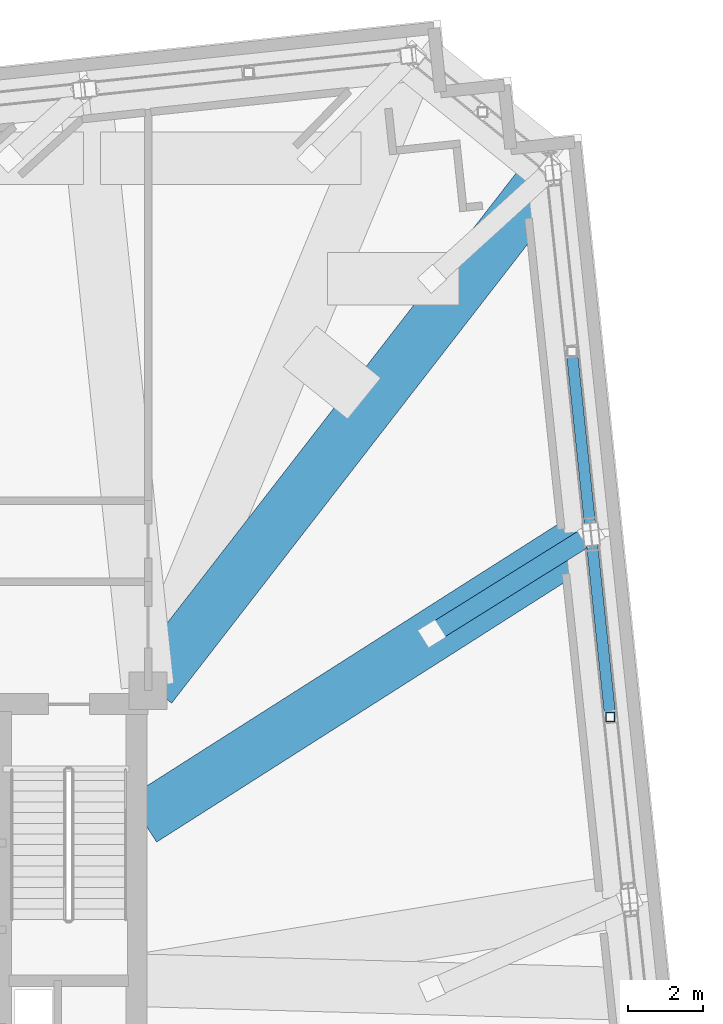
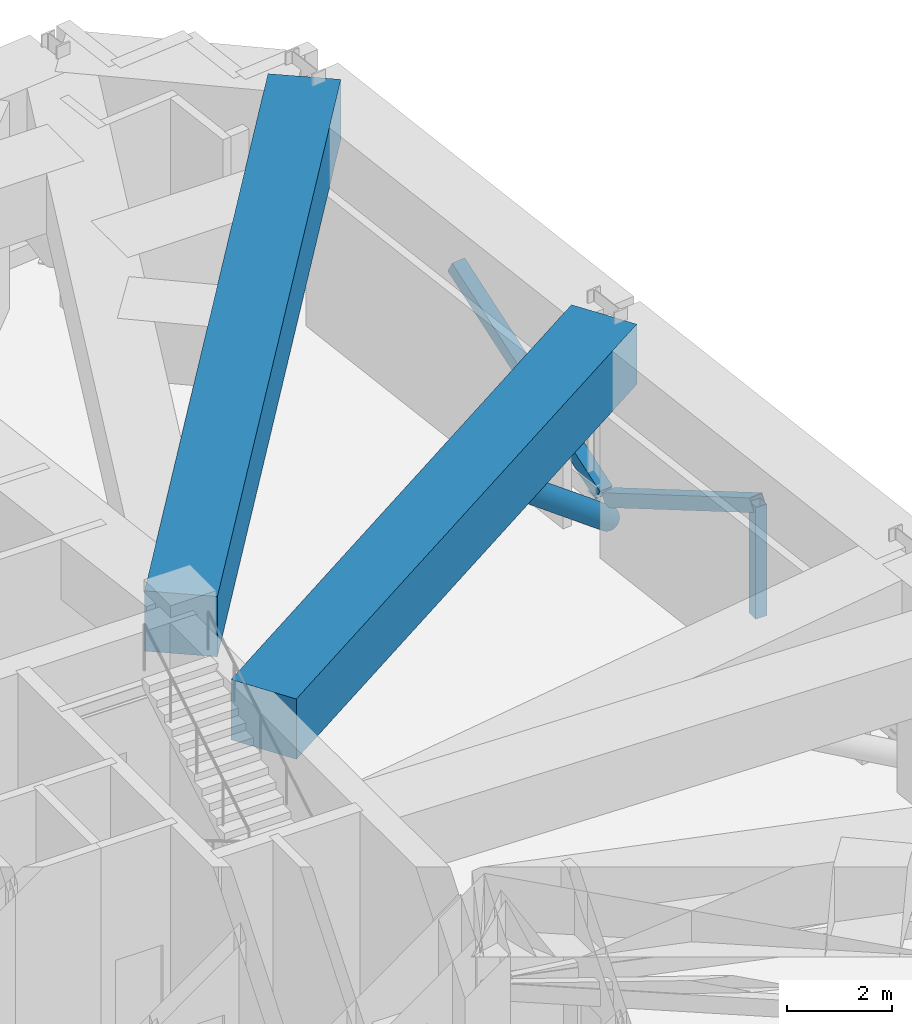
# One storey, part 12 of 23: 4 members, 2 beams.
"""IFC4 building model written with IfcOpenShell, lengths in metres."""

from ifc_helpers import new_model, si_unit, direction, frame, origin, origin_2d, place, context, subcontext, project, spatial, rectangle, hollow_rectangle, hollow_circle, extrude, material, material_profile, profile_set, type_object, element, save


model = new_model("IFC4")

# Units and contexts
model_context = context("Model", 3, precision=1e-05, world=origin(), true_north=direction((0.0, 1.0)))
body_context = subcontext(model_context, "Body", "Model", "MODEL_VIEW")
ifc_project = project(units=[si_unit("LENGTHUNIT", "METRE"), si_unit("AREAUNIT", "SQUARE_METRE"), si_unit("VOLUMEUNIT", "CUBIC_METRE"), si_unit("PLANEANGLEUNIT", "RADIAN"), si_unit("MASSUNIT", "GRAM", prefix="KILO")], contexts=[model_context])

# Site, building, storey
site_placement = place(None, origin())
site = spatial("IfcSite", under=ifc_project, at=site_placement, CompositionType="ELEMENT")
building_placement = place(site_placement, origin())
building = spatial("IfcBuilding", under=site, at=building_placement, Name="Qobustan Lattice House", CompositionType="ELEMENT")
storey_placement = place(building_placement, frame((0.0, 0.0, 125.89990234375)))
storey = spatial("IfcBuildingStorey", under=building, at=storey_placement, Name="L35", CompositionType="ELEMENT", Elevation=125.89990234375)

# Beams
ifc_material_1 = material(Name="Concrete C60/75", Category="concrete")
ifc_material_profile_1 = material_profile(ifc_material_1, rectangle(XDim=1.39990234375, YDim=1.39990234375, at=origin_2d()), Name="RC1400x1400")
ifc_profile_set_1 = profile_set([ifc_material_profile_1], Name="Concrete C60/75")
beam_type = type_object("IfcBeamType", Name="BM-TRG-RC1400", PredefinedType="USERDEFINED", material=ifc_profile_set_1)
beam_1_placement = place(storey_placement, frame((18.651123046875, 2.164306640625, 4.1201171875), z_axis=(0.843587610069, 0.536991568032, 0.0), x_axis=(-0.536991568032, 0.843587610069, 0.0)))
element("IfcBeam", 1, at=beam_1_placement, inside=storey, type_object=beam_type, Name="L35 TT2 radial transfer girder E3", ObjectType="GIRDER", PredefinedType="USERDEFINED", context=body_context, shape_type="SweptSolid", body=[
    extrude(rectangle(XDim=1.39990234375, YDim=1.39990234375, at=origin_2d()), origin(), (0.0, 0.0, 1.0), 14.01708984375),
])
beam_2_placement = place(storey_placement, frame((18.87353515625, 5.69482421875, 4.1201171875), z_axis=(0.61284454699, 0.790203493554, 0.0), x_axis=(-0.790203493554, 0.61284454699, 0.0)))
element("IfcBeam", 2, at=beam_2_placement, inside=storey, type_object=beam_type, Name="L35 TT2 radial transfer girder E4", ObjectType="GIRDER", PredefinedType="USERDEFINED", context=body_context, shape_type="SweptSolid", body=[
    extrude(rectangle(XDim=1.39990234375, YDim=1.39990234375, at=origin_2d()), origin(), (0.0, 0.0, 1.0), 17.311279296875),
])

# Members
ifc_material_2 = material(Name="Steel S355", Category="steel")
ifc_material_profile_2 = material_profile(ifc_material_2, hollow_rectangle(XDim=0.300048828125, YDim=0.300048828125, WallThickness=0.01611328125, at=origin_2d()), Name="SHS300x300x16")
ifc_profile_set_2 = profile_set([ifc_material_profile_2], Name="Steel S355")
member_type_1 = type_object("IfcMemberType", Name="MEM-BRC-SHS300", PredefinedType="BRACE", material=ifc_profile_set_2)
member_1_placement = place(storey_placement, frame((31.087646484375, 4.8994140625, 3.14013671875), z_axis=(-0.091919893425, 0.874540587592, -0.476161205736), x_axis=(-0.994521662032, -0.104530683287, 0.0)))
element("IfcMember", 3, at=member_1_placement, inside=storey, type_object=member_type_1, Name="L35 TT2 belt truss web diagonal E2-E3 B", PredefinedType="BRACE", context=body_context, shape_type="SweptSolid", body=[
    extrude(hollow_rectangle(XDim=0.300048828125, YDim=0.300048828125, WallThickness=0.01611328125, at=origin_2d()), origin(), (0.0, 0.0, 1.0), 5.439453125),
])
member_2_placement = place(storey_placement, frame((30.566650390625, 9.85546875, 0.550048828125), z_axis=(-0.091923501566, 0.874530031498, 0.476179896539), x_axis=(-0.994521104289, -0.104535989611, 0.0)))
element("IfcMember", 4, at=member_2_placement, inside=storey, type_object=member_type_1, Name="L35 TT2 belt truss web diagonal E3-E4 A", PredefinedType="BRACE", context=body_context, shape_type="SweptSolid", body=[
    extrude(hollow_rectangle(XDim=0.300048828125, YDim=0.300048828125, WallThickness=0.01611328125, at=origin_2d()), origin(), (0.0, 0.0, 1.0), 5.439208984375),
])
ifc_material_3 = material(Name="Steel S355", Category="steel")
ifc_material_profile_3 = material_profile(ifc_material_3, hollow_rectangle(XDim=0.25, YDim=0.25, WallThickness=0.012451171875, at=origin_2d()), Name="SHS250x250x12.5")
ifc_profile_set_3 = profile_set([ifc_material_profile_3], Name="Steel S355")
member_type_2 = type_object("IfcMemberType", Name="MEM-PST-SHS250", PredefinedType="POST", material=ifc_profile_set_3)
member_3_placement = place(storey_placement, frame((31.087646484375, 4.8994140625, 0.550048828125), z_axis=(0.0, 0.0, 1.0), x_axis=(1.0, 0.0, 0.0)))
element("IfcMember", 5, at=member_3_placement, inside=storey, type_object=member_type_2, Name="L35 TT2 belt truss vertical post E2-E3", PredefinedType="POST", context=body_context, shape_type="SweptSolid", body=[
    extrude(hollow_rectangle(XDim=0.25, YDim=0.25, WallThickness=0.012451171875, at=origin_2d()), origin(), (0.0, 0.0, 1.0), 2.590087890625),
])
ifc_material_4 = material(Name="Steel S355", Category="steel")
ifc_material_profile_4 = material_profile(ifc_material_4, hollow_circle(Radius=0.25390625, WallThickness=0.02001953125, at=origin_2d()), Name="CHS508x20")
ifc_profile_set_4 = profile_set([ifc_material_profile_4], Name="Steel S355")
member_type_3 = type_object("IfcMemberType", Name="MEM-STR-CHS508", PredefinedType="STRUT", material=ifc_profile_set_4)
member_4_placement = place(storey_placement, frame((30.5771484375, 9.755859375, 0.01513671875), z_axis=(-0.654715808601, -0.408771970138, 0.635808686948), x_axis=(0.529602543071, -0.848245923287, 0.0)))
element("IfcMember", 6, at=member_4_placement, inside=storey, type_object=member_type_3, Name="L35 TT2 column transfer strut E3", PredefinedType="STRUT", context=body_context, shape_type="SweptSolid", body=[
    extrude(hollow_circle(Radius=0.25390625, WallThickness=0.02001953125, at=origin_2d()), origin(), (0.0, 0.0, 1.0), 6.456298828125),
])

save(model, "model.ifc")
